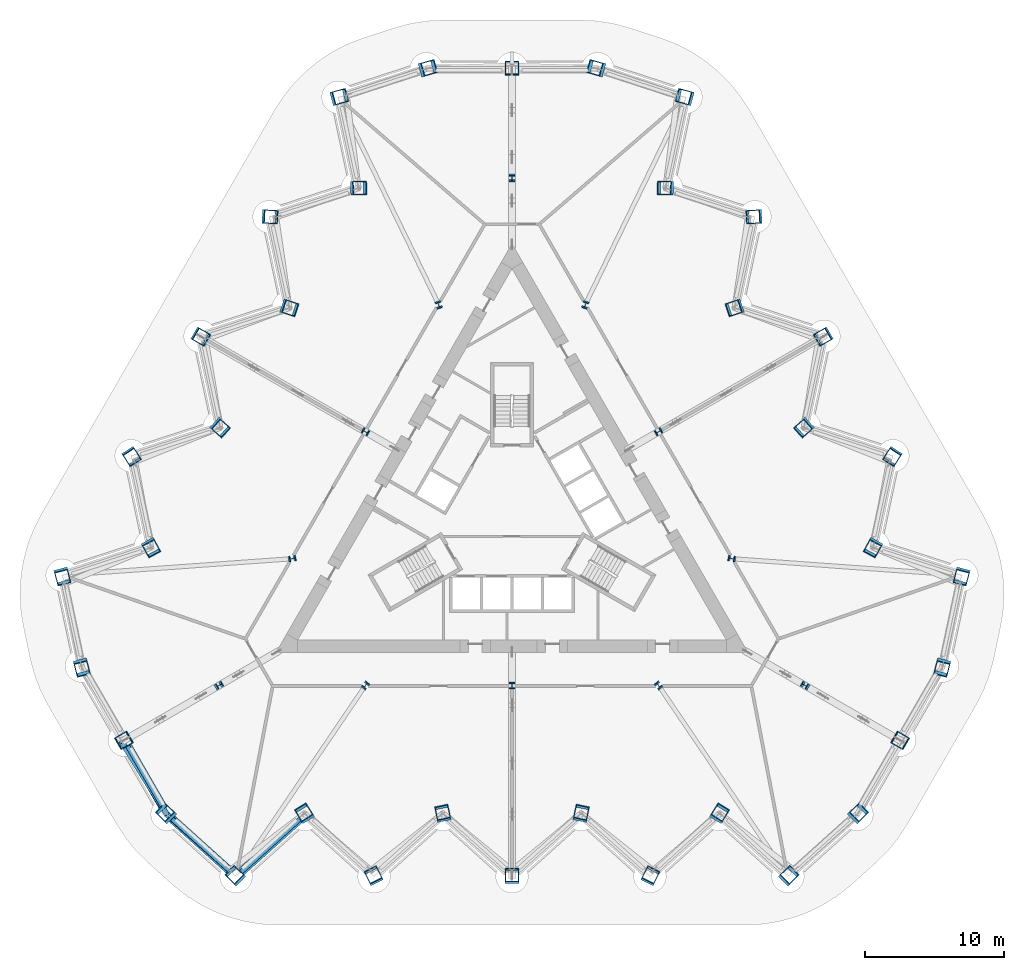
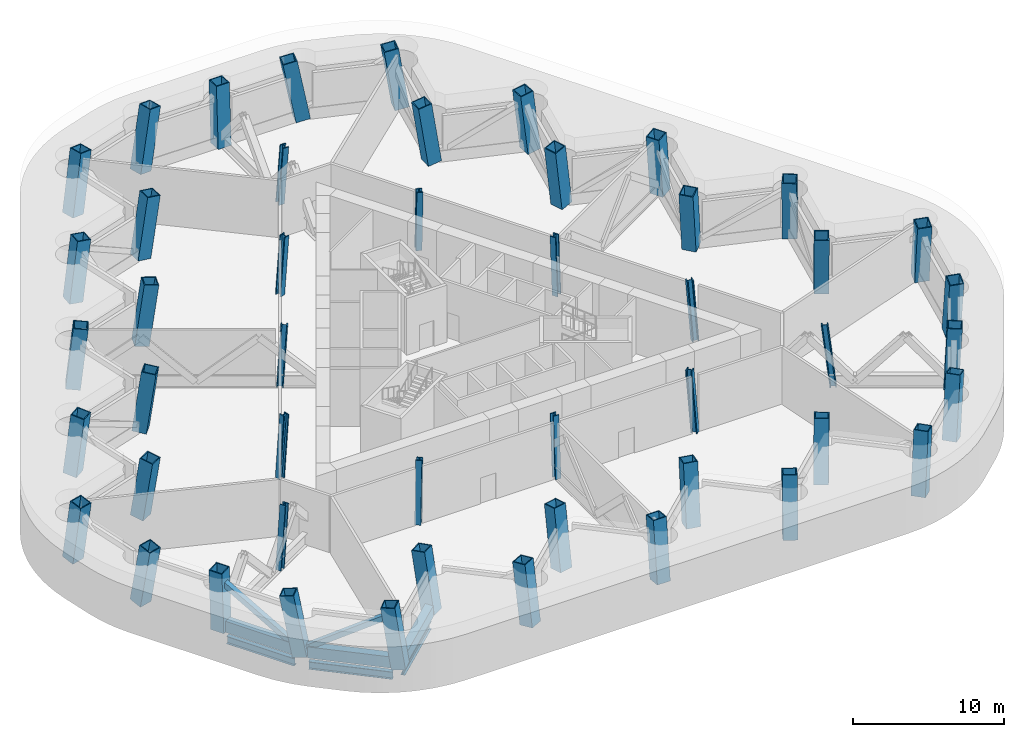
# One storey, part 1 of 14: 48 columns, 5 members, 3 beams.
"""IFC4 building model written with IfcOpenShell, lengths in metres."""

from ifc_helpers import new_model, si_unit, direction, frame, origin, origin_2d, place, context, subcontext, project, spatial, hollow_rectangle, i_section, extrude, material, material_profile, profile_set, type_object, element, save


model = new_model("IFC4")

# Units and contexts
model_context = context("Model", 3, precision=1e-05, world=origin(), true_north=direction((0.0, 1.0)))
body_context = subcontext(model_context, "Body", "Model", "MODEL_VIEW")
ifc_project = project(units=[si_unit("LENGTHUNIT", "METRE"), si_unit("AREAUNIT", "SQUARE_METRE"), si_unit("VOLUMEUNIT", "CUBIC_METRE"), si_unit("PLANEANGLEUNIT", "RADIAN"), si_unit("MASSUNIT", "GRAM", prefix="KILO")], contexts=[model_context])

# Site, building, storey
site_placement = place(None, origin())
site = spatial("IfcSite", under=ifc_project, at=site_placement, CompositionType="ELEMENT")
building_placement = place(site_placement, origin())
building = spatial("IfcBuilding", under=site, at=building_placement, Name="Cormorant Prow Tower", CompositionType="ELEMENT")
storey_placement = place(building_placement, frame((0.0, 0.0, 94.60009765625)))
storey = spatial("IfcBuildingStorey", under=building, at=storey_placement, Name="L19", CompositionType="ELEMENT", Elevation=94.60009765625)

# Columns
ifc_material_1 = material(Name="Structural steel ASTM A572 Gr 50", Category="steel")
ifc_material_profile_1 = material_profile(ifc_material_1, hollow_rectangle(XDim=1.0, YDim=1.0, WallThickness=0.070068359375, at=origin_2d()), Name="Box 1000x1000x70")
ifc_profile_set_1 = profile_set([ifc_material_profile_1], Name="Structural steel ASTM A572 Gr 50")
column_type_1 = type_object("IfcColumnType", Name="Perimeter box column 1000x1000x70", PredefinedType="COLUMN", material=ifc_profile_set_1)
column_1_placement = place(storey_placement, frame((-24.830322265625, -21.4599609375, 0.0), z_axis=(-0.131605166119, 0.128341434793, 0.982959081735), x_axis=(-0.698173751627, -0.715928357128, 0.0)))
element("IfcColumn", 1, at=column_1_placement, inside=storey, type_object=column_type_1, Name="Perimeter column C2 at S00 L19", PredefinedType="COLUMN", context=body_context, shape_type="SweptSolid", body=[
    extrude(hollow_rectangle(XDim=1.0, YDim=1.0, WallThickness=0.070068359375, at=origin_2d()), frame((0.0, 0.0, 0.093505859375)), (0.0, 0.0, 1.0), 4.899658203125),
])
column_2_placement = place(storey_placement, frame((-19.8642578125, -25.931396484375, 0.0), z_axis=(-0.105880018908, 0.105252367177, 0.988792880638), x_axis=(-0.705001587737, -0.709205725645, 0.0)))
element("IfcColumn", 2, at=column_2_placement, inside=storey, type_object=column_type_1, Name="Perimeter column C2 at S01 L19", PredefinedType="COLUMN", context=body_context, shape_type="SweptSolid", body=[
    extrude(hollow_rectangle(XDim=1.0, YDim=1.0, WallThickness=0.070068359375, at=origin_2d()), frame((0.0, 0.0, 0.075439453125)), (0.0, 0.0, 1.0), 4.90576171875),
])
column_3_placement = place(storey_placement, frame((-14.898193359375, -21.4599609375, 0.0), z_axis=(-0.07939482303, 0.129058818712, 0.98845348064), x_axis=(-0.851734862895, -0.523973017749, 0.0)))
element("IfcColumn", 3, at=column_3_placement, inside=storey, type_object=column_type_1, Name="Perimeter column C2 at S02 L19", PredefinedType="COLUMN", context=body_context, shape_type="SweptSolid", body=[
    extrude(hollow_rectangle(XDim=1.0, YDim=1.0, WallThickness=0.070068359375, at=origin_2d()), frame((0.0, 0.0, 0.07666015625)), (0.0, 0.0, 1.0), 4.905029296875),
])
column_4_placement = place(storey_placement, frame((-9.93212890625, -25.931396484375, 0.0), z_axis=(-0.053188154863, 0.105697518324, 0.992974851042), x_axis=(-0.893276919367, -0.449506780067, 0.0)))
element("IfcColumn", 4, at=column_4_placement, inside=storey, type_object=column_type_1, Name="Perimeter column C2 at S03 L19", PredefinedType="COLUMN", context=body_context, shape_type="SweptSolid", body=[
    extrude(hollow_rectangle(XDim=1.0, YDim=1.0, WallThickness=0.070068359375, at=origin_2d()), frame((0.0, 0.0, 0.0595703125)), (0.0, 0.0, 1.0), 4.916259765625),
])
column_5_placement = place(storey_placement, frame((-4.966064453125, -21.4599609375, 0.0), z_axis=(-0.026523275479, 0.129421968303, 0.991234820806), x_axis=(-0.979639666501, -0.200763850876, 0.0)))
element("IfcColumn", 5, at=column_5_placement, inside=storey, type_object=column_type_1, Name="Perimeter column C2 at S04 L19", PredefinedType="COLUMN", context=body_context, shape_type="SweptSolid", body=[
    extrude(hollow_rectangle(XDim=1.0, YDim=1.0, WallThickness=0.070068359375, at=origin_2d()), frame((0.0, 0.0, 0.066650390625)), (0.0, 0.0, 1.0), 4.910888671875),
])
column_6_placement = place(storey_placement, frame((0.0, -25.931396484375, 0.0), z_axis=(0.0, 0.105847344363, 0.994382391081), x_axis=(-1.0, 0.0, 0.0)))
element("IfcColumn", 6, at=column_6_placement, inside=storey, type_object=column_type_1, Name="Perimeter column C2 at S05 L19", PredefinedType="COLUMN", context=body_context, shape_type="SweptSolid", body=[
    extrude(hollow_rectangle(XDim=1.0, YDim=1.0, WallThickness=0.070068359375, at=origin_2d()), frame((0.0, 0.0, 0.05322265625)), (0.0, 0.0, 1.0), 4.921875),
])
column_7_placement = place(storey_placement, frame((4.966064453125, -21.4599609375, 0.0), z_axis=(0.026523275479, 0.129421968303, 0.991234820806), x_axis=(-0.979639666501, 0.200763850876, 0.0)))
element("IfcColumn", 7, at=column_7_placement, inside=storey, type_object=column_type_1, Name="Perimeter column C2 at S06 L19", PredefinedType="COLUMN", context=body_context, shape_type="SweptSolid", body=[
    extrude(hollow_rectangle(XDim=1.0, YDim=1.0, WallThickness=0.070068359375, at=origin_2d()), frame((0.0, 0.0, 0.066650390625)), (0.0, 0.0, 1.0), 4.910888671875),
])
column_8_placement = place(storey_placement, frame((9.93212890625, -25.931396484375, 0.0), z_axis=(0.053188154863, 0.105697518324, 0.992974851042), x_axis=(-0.893276919367, 0.449506780067, 0.0)))
element("IfcColumn", 8, at=column_8_placement, inside=storey, type_object=column_type_1, Name="Perimeter column C2 at S07 L19", PredefinedType="COLUMN", context=body_context, shape_type="SweptSolid", body=[
    extrude(hollow_rectangle(XDim=1.0, YDim=1.0, WallThickness=0.070068359375, at=origin_2d()), frame((0.0, 0.0, 0.0595703125)), (0.0, 0.0, 1.0), 4.916259765625),
])
column_9_placement = place(storey_placement, frame((14.898193359375, -21.4599609375, 0.0), z_axis=(0.07939482303, 0.129058818712, 0.98845348064), x_axis=(-0.851734862895, 0.523973017749, 0.0)))
element("IfcColumn", 9, at=column_9_placement, inside=storey, type_object=column_type_1, Name="Perimeter column C2 at S08 L19", PredefinedType="COLUMN", context=body_context, shape_type="SweptSolid", body=[
    extrude(hollow_rectangle(XDim=1.0, YDim=1.0, WallThickness=0.070068359375, at=origin_2d()), frame((0.0, 0.0, 0.07666015625)), (0.0, 0.0, 1.0), 4.905029296875),
])
column_10_placement = place(storey_placement, frame((19.8642578125, -25.931396484375, 0.0), z_axis=(0.105880018908, 0.105252367177, 0.988792880638), x_axis=(-0.705001587737, 0.709205725645, 0.0)))
element("IfcColumn", 10, at=column_10_placement, inside=storey, type_object=column_type_1, Name="Perimeter column C2 at S09 L19", PredefinedType="COLUMN", context=body_context, shape_type="SweptSolid", body=[
    extrude(hollow_rectangle(XDim=1.0, YDim=1.0, WallThickness=0.070068359375, at=origin_2d()), frame((0.0, 0.0, 0.075439453125)), (0.0, 0.0, 1.0), 4.90576171875),
])
column_11_placement = place(storey_placement, frame((24.830322265625, -21.4599609375, 0.0), z_axis=(0.131605166119, 0.128341434793, 0.982959081735), x_axis=(-0.698173751627, 0.715928357128, 0.0)))
element("IfcColumn", 11, at=column_11_placement, inside=storey, type_object=column_type_1, Name="Perimeter column C2 at ESE00 L19", PredefinedType="COLUMN", context=body_context, shape_type="SweptSolid", body=[
    extrude(hollow_rectangle(XDim=1.0, YDim=1.0, WallThickness=0.070068359375, at=origin_2d()), frame((0.0, 0.0, 0.093505859375)), (0.0, 0.0, 1.0), 4.899658203125),
])
column_12_placement = place(storey_placement, frame((27.915283203125, -16.116943359375, 0.0), z_axis=(0.04379158743, -0.025260626157, 0.998721281257), x_axis=(0.499666781426, 0.866217702163, 0.0)))
element("IfcColumn", 12, at=column_12_placement, inside=storey, type_object=column_type_1, Name="Perimeter column C2 at ESE01 L19", PredefinedType="COLUMN", context=body_context, shape_type="SweptSolid", body=[
    extrude(hollow_rectangle(XDim=1.0, YDim=1.0, WallThickness=0.070068359375, at=origin_2d()), frame((0.0, 0.0, 0.025390625)), (0.0, 0.0, 1.0), 4.955810546875),
])
column_13_placement = place(storey_placement, frame((31.0, -10.773681640625, 0.0), z_axis=(-0.045356102759, -0.178160691472, 0.982955539156), x_axis=(0.9690892303, -0.246710485623, 0.0)))
element("IfcColumn", 13, at=column_13_placement, inside=storey, type_object=column_type_1, Name="Perimeter column C2 at ENE00 L19", PredefinedType="COLUMN", context=body_context, shape_type="SweptSolid", body=[
    extrude(hollow_rectangle(XDim=1.0, YDim=1.0, WallThickness=0.070068359375, at=origin_2d()), frame((0.0, 0.0, 0.093505859375)), (0.0, 0.0, 1.0), 4.899658203125),
])
column_14_placement = place(storey_placement, frame((32.389404296875, -4.2373046875, 0.0), z_axis=(-0.038190275992, -0.144311927862, 0.988795009239), x_axis=(0.966721697861, -0.255830332221, 0.0)))
element("IfcColumn", 14, at=column_14_placement, inside=storey, type_object=column_type_1, Name="Perimeter column C2 at ENE01 L19", PredefinedType="COLUMN", context=body_context, shape_type="SweptSolid", body=[
    extrude(hollow_rectangle(XDim=1.0, YDim=1.0, WallThickness=0.070068359375, at=origin_2d()), frame((0.0, 0.0, 0.075439453125)), (0.0, 0.0, 1.0), 4.90576171875),
])
column_15_placement = place(storey_placement, frame((26.033935546875, -2.17236328125, 0.0), z_axis=(-0.072058991564, -0.133258456603, 0.988458236588), x_axis=(0.879630861752, -0.475656963635, 0.0)))
element("IfcColumn", 15, at=column_15_placement, inside=storey, type_object=column_type_1, Name="Perimeter column C2 at ENE02 L19", PredefinedType="COLUMN", context=body_context, shape_type="SweptSolid", body=[
    extrude(hollow_rectangle(XDim=1.0, YDim=1.0, WallThickness=0.070068359375, at=origin_2d()), frame((0.0, 0.0, 0.07666015625)), (0.0, 0.0, 1.0), 4.905029296875),
])
column_16_placement = place(storey_placement, frame((27.42333984375, 4.3642578125, 0.0), z_axis=(-0.064969927974, -0.098909442588, 0.992973227547), x_axis=(0.835812913886, -0.549014365004, 0.0)))
element("IfcColumn", 16, at=column_16_placement, inside=storey, type_object=column_type_1, Name="Perimeter column C2 at ENE03 L19", PredefinedType="COLUMN", context=body_context, shape_type="SweptSolid", body=[
    extrude(hollow_rectangle(XDim=1.0, YDim=1.0, WallThickness=0.070068359375, at=origin_2d()), frame((0.0, 0.0, 0.0595703125)), (0.0, 0.0, 1.0), 4.916259765625),
])
column_17_placement = place(storey_placement, frame((21.06787109375, 6.42919921875, 0.0), z_axis=(-0.098784861039, -0.08770120931, 0.991236626197), x_axis=(0.663908879859, -0.747813478914, 0.0)))
element("IfcColumn", 17, at=column_17_placement, inside=storey, type_object=column_type_1, Name="Perimeter column C2 at ENE04 L19", PredefinedType="COLUMN", context=body_context, shape_type="SweptSolid", body=[
    extrude(hollow_rectangle(XDim=1.0, YDim=1.0, WallThickness=0.070068359375, at=origin_2d()), frame((0.0, 0.0, 0.066650390625)), (0.0, 0.0, 1.0), 4.910888671875),
])
column_18_placement = place(storey_placement, frame((22.457275390625, 12.965576171875, 0.0), z_axis=(-0.091669600312, -0.05292365696, 0.994382105085), x_axis=(0.499987164874, -0.866032814021, 0.0)))
element("IfcColumn", 18, at=column_18_placement, inside=storey, type_object=column_type_1, Name="Perimeter column C2 at ENE05 L19", PredefinedType="COLUMN", context=body_context, shape_type="SweptSolid", body=[
    extrude(hollow_rectangle(XDim=1.0, YDim=1.0, WallThickness=0.070068359375, at=origin_2d()), frame((0.0, 0.0, 0.05322265625)), (0.0, 0.0, 1.0), 4.921875),
])
column_19_placement = place(storey_placement, frame((16.101806640625, 15.03076171875, 0.0), z_axis=(-0.125356273922, -0.041720891166, 0.991234165991), x_axis=(0.315788119833, -0.948829733605, 0.0)))
element("IfcColumn", 19, at=column_19_placement, inside=storey, type_object=column_type_1, Name="Perimeter column C2 at ENE06 L19", PredefinedType="COLUMN", context=body_context, shape_type="SweptSolid", body=[
    extrude(hollow_rectangle(XDim=1.0, YDim=1.0, WallThickness=0.070068359375, at=origin_2d()), frame((0.0, 0.0, 0.066650390625)), (0.0, 0.0, 1.0), 4.910888671875),
])
column_20_placement = place(storey_placement, frame((17.4912109375, 21.567138671875, 0.0), z_axis=(-0.118157805746, -0.006787892, 0.992971629738), x_axis=(0.057353120111, -0.998353955075, 0.0)))
element("IfcColumn", 20, at=column_20_placement, inside=storey, type_object=column_type_1, Name="Perimeter column C2 at ENE07 L19", PredefinedType="COLUMN", context=body_context, shape_type="SweptSolid", body=[
    extrude(hollow_rectangle(XDim=1.0, YDim=1.0, WallThickness=0.070068359375, at=origin_2d()), frame((0.0, 0.0, 0.0595703125)), (0.0, 0.0, 1.0), 4.916259765625),
])
column_21_placement = place(storey_placement, frame((11.1357421875, 23.632080078125, 0.0), z_axis=(-0.151453734779, 0.004247268534, 0.988455222522), x_axis=(-0.02803231916, -0.999607017324, 0.0)))
element("IfcColumn", 21, at=column_21_placement, inside=storey, type_object=column_type_1, Name="Perimeter column C2 at ENE08 L19", PredefinedType="COLUMN", context=body_context, shape_type="SweptSolid", body=[
    extrude(hollow_rectangle(XDim=1.0, YDim=1.0, WallThickness=0.070068359375, at=origin_2d()), frame((0.0, 0.0, 0.07666015625)), (0.0, 0.0, 1.0), 4.905029296875),
])
column_22_placement = place(storey_placement, frame((12.525146484375, 30.168701171875, 0.0), z_axis=(-0.144117980097, 0.039059110854, 0.988789357584), x_axis=(-0.261584923065, -0.965180463968, 0.0)))
element("IfcColumn", 22, at=column_22_placement, inside=storey, type_object=column_type_1, Name="Perimeter column C2 at ENE09 L19", PredefinedType="COLUMN", context=body_context, shape_type="SweptSolid", body=[
    extrude(hollow_rectangle(XDim=1.0, YDim=1.0, WallThickness=0.070068359375, at=origin_2d()), frame((0.0, 0.0, 0.075439453125)), (0.0, 0.0, 1.0), 4.90576171875),
])
column_23_placement = place(storey_placement, frame((6.169677734375, 32.233642578125, 0.0), z_axis=(-0.1769144144, 0.049820174213, 0.982964516256), x_axis=(-0.271063183886, -0.962561556651, 0.0)))
element("IfcColumn", 23, at=column_23_placement, inside=storey, type_object=column_type_1, Name="Perimeter column C2 at N00 L19", PredefinedType="COLUMN", context=body_context, shape_type="SweptSolid", body=[
    extrude(hollow_rectangle(XDim=1.0, YDim=1.0, WallThickness=0.070068359375, at=origin_2d()), frame((0.0, 0.0, 0.093505859375)), (0.0, 0.0, 1.0), 4.899658203125),
])
column_24_placement = place(storey_placement, frame((0.0, 32.233642578125, 0.0), z_axis=(0.0, 0.050618620219, 0.998718055953), x_axis=(-1.0, 0.0, 0.0)))
element("IfcColumn", 24, at=column_24_placement, inside=storey, type_object=column_type_1, Name="Perimeter column C2 at N01 L19", PredefinedType="COLUMN", context=body_context, shape_type="SweptSolid", body=[
    extrude(hollow_rectangle(XDim=1.0, YDim=1.0, WallThickness=0.070068359375, at=origin_2d()), frame((0.0, 0.0, 0.025390625)), (0.0, 0.0, 1.0), 4.955810546875),
])
column_25_placement = place(storey_placement, frame((-6.169677734375, 32.233642578125, 0.0), z_axis=(0.1769144144, 0.049820174213, 0.982964516256), x_axis=(-0.271063183886, 0.962561556651, 0.0)))
element("IfcColumn", 25, at=column_25_placement, inside=storey, type_object=column_type_1, Name="Perimeter column C2 at WNW00 L19", PredefinedType="COLUMN", context=body_context, shape_type="SweptSolid", body=[
    extrude(hollow_rectangle(XDim=1.0, YDim=1.0, WallThickness=0.070068359375, at=origin_2d()), frame((0.0, 0.0, 0.093505859375)), (0.0, 0.0, 1.0), 4.899658203125),
])
column_26_placement = place(storey_placement, frame((-12.525146484375, 30.168701171875, 0.0), z_axis=(0.144117980097, 0.039059110854, 0.988789357584), x_axis=(-0.261584923065, 0.965180463968, 0.0)))
element("IfcColumn", 26, at=column_26_placement, inside=storey, type_object=column_type_1, Name="Perimeter column C2 at WNW01 L19", PredefinedType="COLUMN", context=body_context, shape_type="SweptSolid", body=[
    extrude(hollow_rectangle(XDim=1.0, YDim=1.0, WallThickness=0.070068359375, at=origin_2d()), frame((0.0, 0.0, 0.075439453125)), (0.0, 0.0, 1.0), 4.90576171875),
])
column_27_placement = place(storey_placement, frame((-11.1357421875, 23.632080078125, 0.0), z_axis=(0.151453734779, 0.004247268534, 0.988455222522), x_axis=(-0.02803231916, 0.999607017324, 0.0)))
element("IfcColumn", 27, at=column_27_placement, inside=storey, type_object=column_type_1, Name="Perimeter column C2 at WNW02 L19", PredefinedType="COLUMN", context=body_context, shape_type="SweptSolid", body=[
    extrude(hollow_rectangle(XDim=1.0, YDim=1.0, WallThickness=0.070068359375, at=origin_2d()), frame((0.0, 0.0, 0.07666015625)), (0.0, 0.0, 1.0), 4.905029296875),
])
column_28_placement = place(storey_placement, frame((-17.4912109375, 21.567138671875, 0.0), z_axis=(0.118157805746, -0.006787892, 0.992971629738), x_axis=(0.057353120111, 0.998353955075, 0.0)))
element("IfcColumn", 28, at=column_28_placement, inside=storey, type_object=column_type_1, Name="Perimeter column C2 at WNW03 L19", PredefinedType="COLUMN", context=body_context, shape_type="SweptSolid", body=[
    extrude(hollow_rectangle(XDim=1.0, YDim=1.0, WallThickness=0.070068359375, at=origin_2d()), frame((0.0, 0.0, 0.0595703125)), (0.0, 0.0, 1.0), 4.916259765625),
])
column_29_placement = place(storey_placement, frame((-16.101806640625, 15.03076171875, 0.0), z_axis=(0.125356273922, -0.041720891166, 0.991234165991), x_axis=(0.315788119833, 0.948829733605, 0.0)))
element("IfcColumn", 29, at=column_29_placement, inside=storey, type_object=column_type_1, Name="Perimeter column C2 at WNW04 L19", PredefinedType="COLUMN", context=body_context, shape_type="SweptSolid", body=[
    extrude(hollow_rectangle(XDim=1.0, YDim=1.0, WallThickness=0.070068359375, at=origin_2d()), frame((0.0, 0.0, 0.066650390625)), (0.0, 0.0, 1.0), 4.910888671875),
])
column_30_placement = place(storey_placement, frame((-22.457275390625, 12.965576171875, 0.0), z_axis=(0.091669600312, -0.05292365696, 0.994382105085), x_axis=(0.499987164874, 0.866032814021, 0.0)))
element("IfcColumn", 30, at=column_30_placement, inside=storey, type_object=column_type_1, Name="Perimeter column C2 at WNW05 L19", PredefinedType="COLUMN", context=body_context, shape_type="SweptSolid", body=[
    extrude(hollow_rectangle(XDim=1.0, YDim=1.0, WallThickness=0.070068359375, at=origin_2d()), frame((0.0, 0.0, 0.05322265625)), (0.0, 0.0, 1.0), 4.921875),
])
column_31_placement = place(storey_placement, frame((-21.06787109375, 6.42919921875, 0.0), z_axis=(0.098784861039, -0.08770120931, 0.991236626197), x_axis=(0.663908879859, 0.747813478914, 0.0)))
element("IfcColumn", 31, at=column_31_placement, inside=storey, type_object=column_type_1, Name="Perimeter column C2 at WNW06 L19", PredefinedType="COLUMN", context=body_context, shape_type="SweptSolid", body=[
    extrude(hollow_rectangle(XDim=1.0, YDim=1.0, WallThickness=0.070068359375, at=origin_2d()), frame((0.0, 0.0, 0.066650390625)), (0.0, 0.0, 1.0), 4.910888671875),
])
column_32_placement = place(storey_placement, frame((-27.42333984375, 4.3642578125, 0.0), z_axis=(0.064969927974, -0.098909442588, 0.992973227547), x_axis=(0.835812913886, 0.549014365004, 0.0)))
element("IfcColumn", 32, at=column_32_placement, inside=storey, type_object=column_type_1, Name="Perimeter column C2 at WNW07 L19", PredefinedType="COLUMN", context=body_context, shape_type="SweptSolid", body=[
    extrude(hollow_rectangle(XDim=1.0, YDim=1.0, WallThickness=0.070068359375, at=origin_2d()), frame((0.0, 0.0, 0.0595703125)), (0.0, 0.0, 1.0), 4.916259765625),
])
column_33_placement = place(storey_placement, frame((-26.033935546875, -2.17236328125, 0.0), z_axis=(0.072058991564, -0.133258456603, 0.988458236588), x_axis=(0.879630861752, 0.475656963635, 0.0)))
element("IfcColumn", 33, at=column_33_placement, inside=storey, type_object=column_type_1, Name="Perimeter column C2 at WNW08 L19", PredefinedType="COLUMN", context=body_context, shape_type="SweptSolid", body=[
    extrude(hollow_rectangle(XDim=1.0, YDim=1.0, WallThickness=0.070068359375, at=origin_2d()), frame((0.0, 0.0, 0.07666015625)), (0.0, 0.0, 1.0), 4.905029296875),
])
column_34_placement = place(storey_placement, frame((-32.389404296875, -4.2373046875, 0.0), z_axis=(0.038190275992, -0.144311927862, 0.988795009239), x_axis=(0.966721697861, 0.255830332221, 0.0)))
element("IfcColumn", 34, at=column_34_placement, inside=storey, type_object=column_type_1, Name="Perimeter column C2 at WNW09 L19", PredefinedType="COLUMN", context=body_context, shape_type="SweptSolid", body=[
    extrude(hollow_rectangle(XDim=1.0, YDim=1.0, WallThickness=0.070068359375, at=origin_2d()), frame((0.0, 0.0, 0.075439453125)), (0.0, 0.0, 1.0), 4.90576171875),
])
column_35_placement = place(storey_placement, frame((-31.0, -10.773681640625, 0.0), z_axis=(0.045356102759, -0.178160691472, 0.982955539156), x_axis=(0.9690892303, 0.246710485623, 0.0)))
element("IfcColumn", 35, at=column_35_placement, inside=storey, type_object=column_type_1, Name="Perimeter column C2 at WSW00 L19", PredefinedType="COLUMN", context=body_context, shape_type="SweptSolid", body=[
    extrude(hollow_rectangle(XDim=1.0, YDim=1.0, WallThickness=0.070068359375, at=origin_2d()), frame((0.0, 0.0, 0.093505859375)), (0.0, 0.0, 1.0), 4.899658203125),
])
column_36_placement = place(storey_placement, frame((-27.915283203125, -16.116943359375, 0.0), z_axis=(-0.04379158743, -0.025260626157, 0.998721281257), x_axis=(0.499666781426, -0.866217702163, 0.0)))
element("IfcColumn", 36, at=column_36_placement, inside=storey, type_object=column_type_1, Name="Perimeter column C2 at WSW01 L19", PredefinedType="COLUMN", context=body_context, shape_type="SweptSolid", body=[
    extrude(hollow_rectangle(XDim=1.0, YDim=1.0, WallThickness=0.070068359375, at=origin_2d()), frame((0.0, 0.0, 0.025390625)), (0.0, 0.0, 1.0), 4.955810546875),
])
ifc_material_2 = material(Name="Structural steel ASTM A992 Gr 50", Category="steel")
ifc_material_profile_2 = material_profile(ifc_material_2, i_section(OverallWidth=0.42138671875, OverallDepth=0.464599609375, WebThickness=0.044921875, FlangeThickness=0.072265625, at=origin_2d()), Name="W14x398")
ifc_profile_set_2 = profile_set([ifc_material_profile_2], Name="Structural steel ASTM A992 Gr 50")
column_type_2 = type_object("IfcColumnType", Name="Ring column W14x398", PredefinedType="COLUMN", material=ifc_profile_set_2)
column_37_placement = place(storey_placement, frame((0.0, 24.429931640625, 0.0), z_axis=(0.0, -0.114716162252, 0.993398309903), x_axis=(1.0, 0.0, 0.0)))
element("IfcColumn", 37, at=column_37_placement, inside=storey, type_object=column_type_2, Name="Ring column 1 L19", PredefinedType="COLUMN", context=body_context, shape_type="SweptSolid", body=[
    extrude(i_section(OverallWidth=0.42138671875, OverallDepth=0.464599609375, WebThickness=0.044921875, FlangeThickness=0.072265625, at=origin_2d()), frame((0.0, 0.0, 0.02685546875)), (0.0, 0.0, 1.0), 4.9794921875),
])
column_38_placement = place(storey_placement, frame((-5.289306640625, 15.268798828125, 0.0), z_axis=(0.024927402258, -0.071958399488, 0.997096090334), x_axis=(0.944910039342, 0.327330135415, 0.0)))
element("IfcColumn", 38, at=column_38_placement, inside=storey, type_object=column_type_2, Name="Ring column 2 L19", PredefinedType="COLUMN", context=body_context, shape_type="SweptSolid", body=[
    extrude(i_section(OverallWidth=0.42138671875, OverallDepth=0.464599609375, WebThickness=0.044921875, FlangeThickness=0.072265625, at=origin_2d()), frame((0.0, 0.0, 0.017822265625)), (0.0, 0.0, 1.0), 4.97900390625),
])
column_39_placement = place(storey_placement, frame((-10.578369140625, 6.107421875, 0.0), z_axis=(0.049916888914, -0.028809454442, 0.998337778277), x_axis=(0.499868889286, 0.866101087359, 0.0)))
element("IfcColumn", 39, at=column_39_placement, inside=storey, type_object=column_type_2, Name="Ring column 3 L19", PredefinedType="COLUMN", context=body_context, shape_type="SweptSolid", body=[
    extrude(i_section(OverallWidth=0.42138671875, OverallDepth=0.464599609375, WebThickness=0.044921875, FlangeThickness=0.072265625, at=origin_2d()), frame((0.0, 0.0, 0.013427734375)), (0.0, 0.0, 1.0), 4.9814453125),
])
column_40_placement = place(storey_placement, frame((-15.86767578125, -3.0537109375, 0.0), z_axis=(0.074782233985, 0.014362473324, 0.997096453128), x_axis=(-0.188610251533, 0.982052021543, 0.0)))
element("IfcColumn", 40, at=column_40_placement, inside=storey, type_object=column_type_2, Name="Ring column 4 L19", PredefinedType="COLUMN", context=body_context, shape_type="SweptSolid", body=[
    extrude(i_section(OverallWidth=0.42138671875, OverallDepth=0.464599609375, WebThickness=0.044921875, FlangeThickness=0.072265625, at=origin_2d()), frame((0.0, 0.0, 0.017822265625)), (0.0, 0.0, 1.0), 4.97900390625),
])
column_41_placement = place(storey_placement, frame((-21.156982421875, -12.21484375, 0.0), z_axis=(0.099340040995, 0.057333949442, 0.993400409954), x_axis=(-0.499868889286, 0.866101087359, 0.0)))
element("IfcColumn", 41, at=column_41_placement, inside=storey, type_object=column_type_2, Name="Ring column 5 L19", PredefinedType="COLUMN", context=body_context, shape_type="SweptSolid", body=[
    extrude(i_section(OverallWidth=0.42138671875, OverallDepth=0.464599609375, WebThickness=0.044921875, FlangeThickness=0.072265625, at=origin_2d()), frame((0.0, 0.0, 0.02685546875)), (0.0, 0.0, 1.0), 4.9794921875),
])
column_42_placement = place(storey_placement, frame((-10.578369140625, -12.21484375, 0.0), z_axis=(0.049854859349, 0.057547308351, 0.997097186989), x_axis=(-0.755815657913, 0.654784461677, 0.0)))
element("IfcColumn", 42, at=column_42_placement, inside=storey, type_object=column_type_2, Name="Ring column 6 L19", PredefinedType="COLUMN", context=body_context, shape_type="SweptSolid", body=[
    extrude(i_section(OverallWidth=0.42138671875, OverallDepth=0.464599609375, WebThickness=0.044921875, FlangeThickness=0.072265625, at=origin_2d()), frame((0.0, 0.0, 0.017822265625)), (0.0, 0.0, 1.0), 4.97900390625),
])
column_43_placement = place(storey_placement, frame((0.0, -12.21484375, 0.0), z_axis=(0.0, 0.057618959063, 0.998338647733), x_axis=(-1.0, 0.0, 0.0)))
element("IfcColumn", 43, at=column_43_placement, inside=storey, type_object=column_type_2, Name="Ring column 7 L19", PredefinedType="COLUMN", context=body_context, shape_type="SweptSolid", body=[
    extrude(i_section(OverallWidth=0.42138671875, OverallDepth=0.464599609375, WebThickness=0.044921875, FlangeThickness=0.072265625, at=origin_2d()), frame((0.0, 0.0, 0.013427734375)), (0.0, 0.0, 1.0), 4.9814453125),
])
column_44_placement = place(storey_placement, frame((10.578369140625, -12.21484375, 0.0), z_axis=(-0.049854859349, 0.057547308351, 0.997097186989), x_axis=(-0.755815657913, -0.654784461677, 0.0)))
element("IfcColumn", 44, at=column_44_placement, inside=storey, type_object=column_type_2, Name="Ring column 8 L19", PredefinedType="COLUMN", context=body_context, shape_type="SweptSolid", body=[
    extrude(i_section(OverallWidth=0.42138671875, OverallDepth=0.464599609375, WebThickness=0.044921875, FlangeThickness=0.072265625, at=origin_2d()), frame((0.0, 0.0, 0.017822265625)), (0.0, 0.0, 1.0), 4.97900390625),
])
column_45_placement = place(storey_placement, frame((21.156982421875, -12.21484375, 0.0), z_axis=(-0.099340040995, 0.057333949442, 0.993400409954), x_axis=(-0.499868889286, -0.866101087359, 0.0)))
element("IfcColumn", 45, at=column_45_placement, inside=storey, type_object=column_type_2, Name="Ring column 9 L19", PredefinedType="COLUMN", context=body_context, shape_type="SweptSolid", body=[
    extrude(i_section(OverallWidth=0.42138671875, OverallDepth=0.464599609375, WebThickness=0.044921875, FlangeThickness=0.072265625, at=origin_2d()), frame((0.0, 0.0, 0.02685546875)), (0.0, 0.0, 1.0), 4.9794921875),
])
column_46_placement = place(storey_placement, frame((15.86767578125, -3.0537109375, 0.0), z_axis=(-0.074782233985, 0.014362473324, 0.997096453128), x_axis=(-0.188610251533, -0.982052021543, 0.0)))
element("IfcColumn", 46, at=column_46_placement, inside=storey, type_object=column_type_2, Name="Ring column 10 L19", PredefinedType="COLUMN", context=body_context, shape_type="SweptSolid", body=[
    extrude(i_section(OverallWidth=0.42138671875, OverallDepth=0.464599609375, WebThickness=0.044921875, FlangeThickness=0.072265625, at=origin_2d()), frame((0.0, 0.0, 0.017822265625)), (0.0, 0.0, 1.0), 4.97900390625),
])
column_47_placement = place(storey_placement, frame((10.578369140625, 6.107421875, 0.0), z_axis=(-0.049916888914, -0.028809454442, 0.998337778277), x_axis=(0.499868889286, -0.866101087359, 0.0)))
element("IfcColumn", 47, at=column_47_placement, inside=storey, type_object=column_type_2, Name="Ring column 11 L19", PredefinedType="COLUMN", context=body_context, shape_type="SweptSolid", body=[
    extrude(i_section(OverallWidth=0.42138671875, OverallDepth=0.464599609375, WebThickness=0.044921875, FlangeThickness=0.072265625, at=origin_2d()), frame((0.0, 0.0, 0.013427734375)), (0.0, 0.0, 1.0), 4.9814453125),
])
column_48_placement = place(storey_placement, frame((5.289306640625, 15.268798828125, 0.0), z_axis=(-0.024927402258, -0.071958399488, 0.997096090334), x_axis=(0.944910039342, -0.327330135415, 0.0)))
element("IfcColumn", 48, at=column_48_placement, inside=storey, type_object=column_type_2, Name="Ring column 12 L19", PredefinedType="COLUMN", context=body_context, shape_type="SweptSolid", body=[
    extrude(i_section(OverallWidth=0.42138671875, OverallDepth=0.464599609375, WebThickness=0.044921875, FlangeThickness=0.072265625, at=origin_2d()), frame((0.0, 0.0, 0.017822265625)), (0.0, 0.0, 1.0), 4.97900390625),
])

# Members
ifc_material_3 = material(Name="Structural steel ASTM A572 Gr 50", Category="steel")
ifc_material_profile_3 = material_profile(ifc_material_3, hollow_rectangle(XDim=0.60009765625, YDim=0.89990234375, WallThickness=0.06005859375, at=origin_2d()), Name="Box 900x600x60")
ifc_profile_set_3 = profile_set([ifc_material_profile_3], Name="Structural steel ASTM A572 Gr 50")
member_type_1 = type_object("IfcMemberType", Name="Belt truss bottom chord 900x600x60", PredefinedType="CHORD", material=ifc_profile_set_3)
for number, where, z_axis, x_axis, name in (
    (49, (-24.48095703125, -21.7744140625, 0.449951171875), (0.743127114978, -0.669150275338, 0.0), (0.669150275338, 0.743127114978, 0.0), "Belt truss bottom chord S00-S01 L19"),
    (50, (-19.514892578125, -25.616943359375, 0.449951171875), (0.743127114978, 0.669150275338, 0.0), (-0.669150275338, 0.743127114978, 0.0), "Belt truss bottom chord S01-S02 L19"),
):
    element("IfcMember", number, at=place(storey_placement, frame(where, z_axis=z_axis, x_axis=x_axis)), inside=storey, type_object=member_type_1, Name=name, PredefinedType="CHORD", context=body_context, shape_type="SweptSolid", body=[
        extrude(hollow_rectangle(XDim=0.60009765625, YDim=0.89990234375, WallThickness=0.06005859375, at=origin_2d()), origin(), (0.0, 0.0, 1.0), 5.742431640625),
    ])
member_1_placement = place(storey_placement, frame((-27.68017578125, -16.52392578125, 0.449951171875), z_axis=(0.499985124888, -0.866033991764, 0.0), x_axis=(0.866033991764, 0.499985124888, 0.0)))
element("IfcMember", 51, at=member_1_placement, inside=storey, type_object=member_type_1, Name="Belt truss bottom chord WSW01-S00 L19", PredefinedType="CHORD", context=body_context, shape_type="SweptSolid", body=[
    extrude(hollow_rectangle(XDim=0.60009765625, YDim=0.89990234375, WallThickness=0.06005859375, at=origin_2d()), origin(), (0.0, 0.0, 1.0), 5.229736328125),
])
ifc_material_4 = material(Name="Structural steel ASTM A500 Gr C", Category="steel")
ifc_material_profile_4 = material_profile(ifc_material_4, hollow_rectangle(XDim=0.406494140625, YDim=0.406494140625, WallThickness=0.014892578125, at=origin_2d()), Name="HSS16x16x5/8")
ifc_profile_set_4 = profile_set([ifc_material_profile_4], Name="Structural steel ASTM A500 Gr C")
member_type_2 = type_object("IfcMemberType", Name="Belt truss diagonal HSS16x16x5/8", PredefinedType="BRACE", material=ifc_profile_set_4)
member_2_placement = place(storey_placement, frame((-24.890625, -21.401123046875, 0.449951171875), z_axis=(-0.449908041618, 0.726690208229, 0.519137838489), x_axis=(-0.850237812916, -0.526398766609, 0.0)))
element("IfcMember", 52, at=member_2_placement, inside=storey, type_object=member_type_2, Name="Belt truss diagonal WSW01-S00 L19", PredefinedType="BRACE", context=body_context, shape_type="SweptSolid", body=[
    extrude(hollow_rectangle(XDim=0.406494140625, YDim=0.406494140625, WallThickness=0.014892578125, at=origin_2d()), origin(), (0.0, 0.0, 1.0), 7.127197265625),
])
ifc_material_5 = material(Name="Structural steel ASTM A500 Gr C", Category="steel")
ifc_material_profile_5 = material_profile(ifc_material_5, hollow_rectangle(XDim=0.406494140625, YDim=0.406494140625, WallThickness=0.014892578125, at=origin_2d()), Name="HSS16x16x5/8")
ifc_profile_set_5 = profile_set([ifc_material_profile_5], Name="Structural steel ASTM A500 Gr C")
member_type_3 = type_object("IfcMemberType", Name="Belt truss strut HSS16x16x5/8", PredefinedType="STRUT", material=ifc_profile_set_5)
member_3_placement = place(storey_placement, frame((-24.890625, -21.401123046875, 0.449951171875), z_axis=(0.639094306091, -0.570270861075, 0.516090702233), x_axis=(0.665788984799, 0.746140085855, 0.0)))
element("IfcMember", 53, at=member_3_placement, inside=storey, type_object=member_type_3, Name="Belt truss strut S00-S01 L19", PredefinedType="STRUT", context=body_context, shape_type="SweptSolid", body=[
    extrude(hollow_rectangle(XDim=0.406494140625, YDim=0.406494140625, WallThickness=0.014892578125, at=origin_2d()), origin(), (0.0, 0.0, 1.0), 7.169189453125),
])

# Beams
ifc_material_6 = material(Name="Structural steel ASTM A992 Gr 50", Category="steel")
ifc_material_profile_6 = material_profile(ifc_material_6, i_section(OverallWidth=0.32373046875, OverallDepth=0.611083984375, WebThickness=0.0126953125, FlangeThickness=0.01904296875, at=origin_2d()), Name="W24x104")
ifc_profile_set_6 = profile_set([ifc_material_profile_6], Name="Structural steel ASTM A992 Gr 50")
beam_type = type_object("IfcBeamType", Name="Spandrel beam W24x104", PredefinedType="SPANDREL", material=ifc_profile_set_6)
for number, where, z_axis, x_axis, name in (
    (54, (-24.458740234375, -21.79443359375, -0.70556640625), (0.743129630386, -0.669147481833, 0.0), (0.669147481833, 0.743129630386, 0.0), "Spandrel beam SB1 S00-S01 L19"),
    (55, (-19.49267578125, -25.596923828125, -0.70556640625), (0.743129630386, 0.669147481833, 0.0), (-0.669147481833, 0.743129630386, 0.0), "Spandrel beam SB1 S01-S02 L19"),
):
    element("IfcBeam", number, at=place(storey_placement, frame(where, z_axis=z_axis, x_axis=x_axis)), inside=storey, type_object=beam_type, Name=name, PredefinedType="SPANDREL", context=body_context, shape_type="SweptSolid", body=[
        extrude(i_section(OverallWidth=0.32373046875, OverallDepth=0.611083984375, WebThickness=0.0126953125, FlangeThickness=0.01904296875, at=origin_2d()), origin(), (0.0, 0.0, 1.0), 5.6826171875),
    ])
beam_placement = place(storey_placement, frame((-27.665283203125, -16.5498046875, -0.70556640625), z_axis=(0.500019507279, -0.866014140959, 0.0), x_axis=(0.866014140959, 0.500019507279, 0.0)))
element("IfcBeam", 56, at=beam_placement, inside=storey, type_object=beam_type, Name="Spandrel beam SB1 WSW01-S00 L19", PredefinedType="SPANDREL", context=body_context, shape_type="SweptSolid", body=[
    extrude(i_section(OverallWidth=0.32373046875, OverallDepth=0.611083984375, WebThickness=0.0126953125, FlangeThickness=0.01904296875, at=origin_2d()), origin(), (0.0, 0.0, 1.0), 5.169677734375),
])

save(model, "model.ifc")
